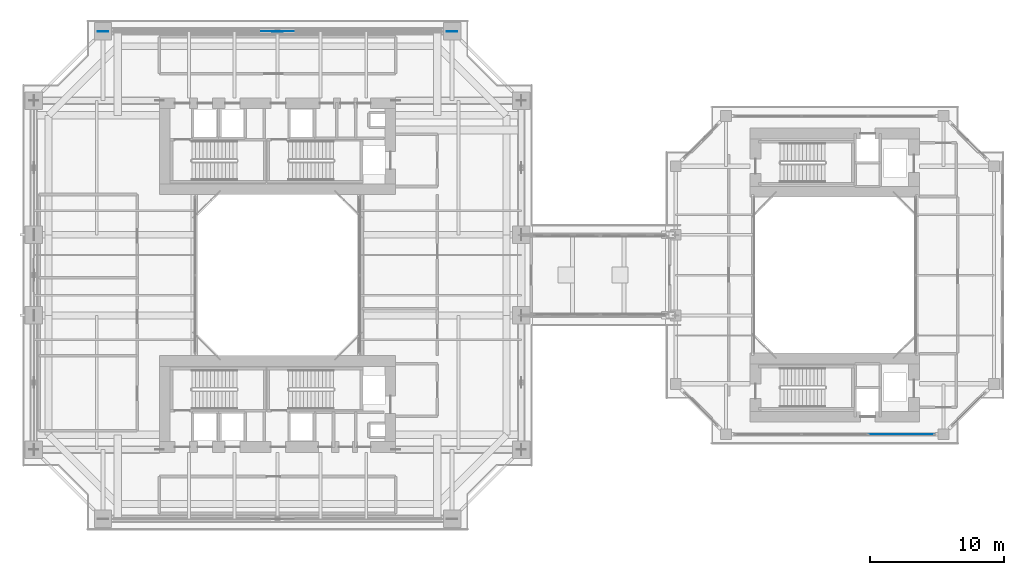
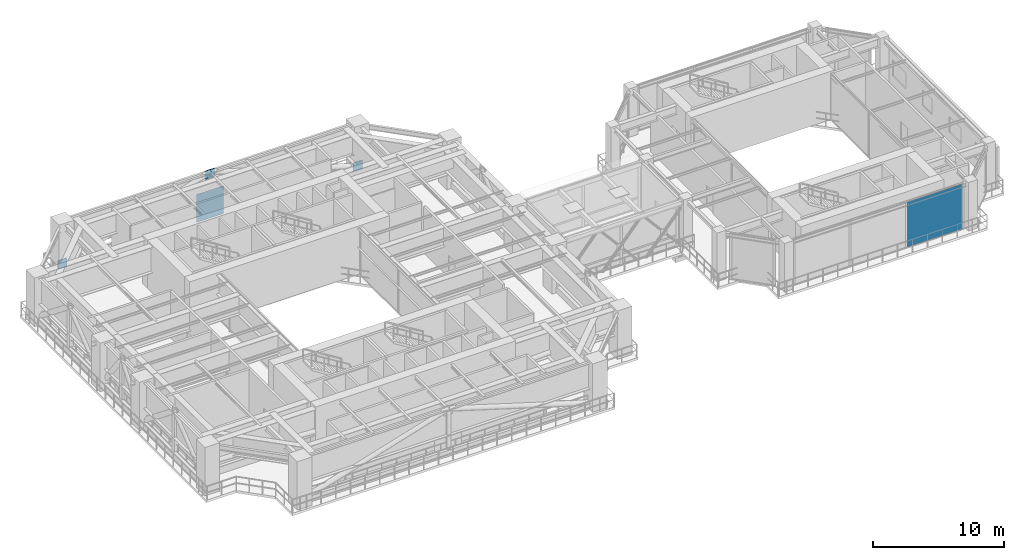
# One storey, part 13 of 25: 5 plates, 1 element without a shape of its own.
"""IFC4 building model written with IfcOpenShell, lengths in metres."""

from ifc_helpers import new_model, si_unit, direction, frame, origin, origin_2d, place, context, subcontext, project, spatial, rectangle, extrude, source, transform, mapped, material, layer, layer_set, type_object, element, aggregate, save


model = new_model("IFC4")

# Units and contexts
model_context = context("Model", 3, precision=1e-05, world=origin(), true_north=direction((0.0, 1.0)))
body_context = subcontext(model_context, "Body", "Model", "MODEL_VIEW")
ifc_project = project(units=[si_unit("LENGTHUNIT", "METRE"), si_unit("AREAUNIT", "SQUARE_METRE"), si_unit("VOLUMEUNIT", "CUBIC_METRE"), si_unit("PLANEANGLEUNIT", "RADIAN"), si_unit("MASSUNIT", "GRAM", prefix="KILO"), si_unit("THERMODYNAMICTEMPERATUREUNIT", "KELVIN"), si_unit("POWERUNIT", "WATT")], contexts=[model_context])

# Site, building, storey
site_placement = place(None, origin())
site = spatial("IfcSite", under=ifc_project, at=site_placement, CompositionType="ELEMENT")
building_placement = place(site_placement, origin())
building = spatial("IfcBuilding", under=site, at=building_placement, Name="Qiaomeng Ring Towers", CompositionType="ELEMENT")
storey_placement = place(building_placement, frame((0.0, 0.0, 92.5)))
storey = spatial("IfcBuildingStorey", under=building, at=storey_placement, Name="L26", CompositionType="ELEMENT", Elevation=92.5)

# Plates
ifc_material_1 = material(Name="Steel Q390GJC", Category="steel")
ifc_layer_1 = layer(ifc_material_1, 0.031982421875, Name="Steel Q390GJC")
ifc_layer_set_1 = layer_set([ifc_layer_1], Name="Steel Q390GJC")
plate_type_1 = type_object("IfcPlateType", Name="STR-PL-GUSSET", PredefinedType="USERDEFINED", material=ifc_layer_set_1)
shared_shape_1 = source(origin(), body_context, "Body", "SweptSolid", [
    extrude(rectangle(XDim=0.800048828125, YDim=0.031982421875, at=origin_2d()), origin(), (0.0, 0.0, 1.0), 0.800048828125),
])
for number, where, z_axis, x_axis, name in (
    (1, (19.0, 41.14990234375, 3.72021484375), (0.0, 0.0, 1.0), (-1.0, 0.0, 0.0), "L26 Belt Truss Node Gusset Plate 5-APX"),
    (2, (32.0, 41.14990234375, -0.080078125), (0.0, 0.0, 1.0), (-1.0, 0.0, 0.0), "L26 Belt Truss Node Gusset Plate 5-N1"),
    (3, (6.0, 41.14990234375, -0.080078125), (0.0, 0.0, 1.0), (-1.0, 0.0, 0.0), "L26 Belt Truss Node Gusset Plate 5-N2"),
):
    element("IfcPlate", number, at=place(storey_placement, frame(where, z_axis=z_axis, x_axis=x_axis)), inside=storey, type_object=plate_type_1, Name=name, ObjectType="GUSSET PLATE", PredefinedType="USERDEFINED", context=body_context, shape_type="MappedRepresentation", body=[
        mapped(shared_shape_1, transform((0.0, 0.0, 0.0), x_axis=(1.0, 0.0, 0.0), y_axis=(0.0, 1.0, 0.0), z_axis=(0.0, 0.0, 1.0), scale=1.0)),
    ])
ifc_material_2 = material(Name="Stainless steel 316", Category="steel")
ifc_layer_2 = layer(ifc_material_2, 0.011962890625, Name="Stainless steel 316")
ifc_layer_set_2 = layer_set([ifc_layer_2], Name="Stainless steel 316")
plate_type_2 = type_object("IfcPlateType", Name="ARC-PL-SCREEN", PredefinedType="SHEET", material=ifc_layer_set_2)
shared_shape_2 = source(origin(), body_context, "Body", "SweptSolid", [
    extrude(rectangle(XDim=2.39990234375, YDim=0.011962890625, at=origin_2d()), origin(), (0.0, 0.0, 1.0), 2.60009765625),
])
plate_1_placement = place(storey_placement, frame((19.0, 41.14990234375, 0.0), z_axis=(0.0, 0.0, 1.0), x_axis=(-1.0, 0.0, 0.0)))
element("IfcPlate", 4, at=plate_1_placement, inside=storey, type_object=plate_type_2, Name="L26 Perforated Refuge Wind Screen N", PredefinedType="SHEET", context=body_context, shape_type="MappedRepresentation", body=[
    mapped(shared_shape_2, transform((0.0, 0.0, 0.0), x_axis=(1.0, 0.0, 0.0), y_axis=(0.0, 1.0, 0.0), z_axis=(0.0, 0.0, 1.0), scale=1.0)),
])

# Curtain wall, plate
ifc_material_3 = material(Name="Fluorocarbon dark-grey aluminium", Category="aluminium")
ifc_layer_3 = layer(ifc_material_3, 0.14990234375, Name="Fluorocarbon dark-grey aluminium")
ifc_layer_set_3 = layer_set([ifc_layer_3], Name="Fluorocarbon dark-grey aluminium")
curtain_wall_type = type_object("IfcCurtainWallType", Name="ARC-CW-5", PredefinedType="NOTDEFINED", material=ifc_layer_set_3)
curtain_wall_placement = place(storey_placement, origin())
curtain_wall = element("IfcCurtainWall", 5, at=curtain_wall_placement, inside=storey, type_object=curtain_wall_type, Name="L26 Curtain Wall CW5", PredefinedType="NOTDEFINED")
ifc_material_4 = material(Name="Low-E dark-grey laminated double glazing", Category="glass")
ifc_layer_4 = layer(ifc_material_4, 0.028076171875, Name="Low-E dark-grey laminated double glazing")
ifc_layer_set_4 = layer_set([ifc_layer_4], Name="Low-E dark-grey laminated double glazing")
plate_type_3 = type_object("IfcPlateType", Name="ARC-CWP-DARK", PredefinedType="CURTAIN_PANEL", material=ifc_layer_set_4)
shared_shape_3 = source(origin(), body_context, "Body", "SweptSolid", [
    extrude(rectangle(XDim=4.868408203125, YDim=0.028076171875, at=origin_2d()), origin(), (0.0, 0.0, 1.0), 4.18994140625),
])
plate_2_placement = place(storey_placement, frame((65.455810546875, 11.14990234375, 0.06494140625), z_axis=(0.0, 0.0, 1.0), x_axis=(1.0, 0.0, 0.0)))
plate_2 = element("IfcPlate", 6, at=plate_2_placement, type_object=plate_type_3, Name="CW5 panel 3.1", PredefinedType="CURTAIN_PANEL", context=body_context, shape_type="MappedRepresentation", body=[
    mapped(shared_shape_3, transform((0.0, 0.0, 0.0), x_axis=(1.0, 0.0, 0.0), y_axis=(0.0, 1.0, 0.0), z_axis=(0.0, 0.0, 1.0), scale=1.0)),
])
aggregate(curtain_wall, [plate_2])

save(model, "model.ifc")
